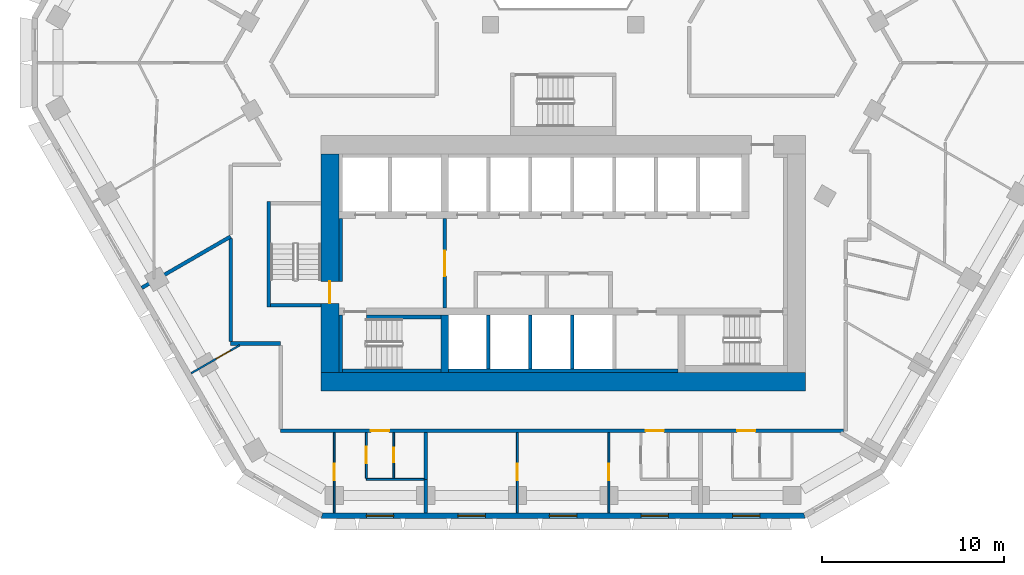
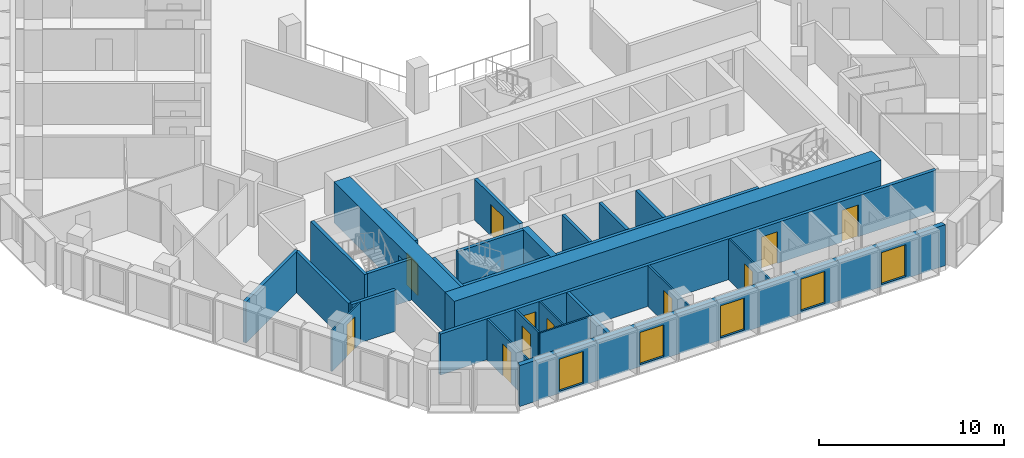
# One storey, part 3 of 15: 28 walls, 11 doors, 5 windows, 16 openings.
"""IFC4 building model written with IfcOpenShell, lengths in metres."""

from ifc_helpers import new_model, si_unit, direction, frame, frame_2d, origin, place, context, subcontext, project, spatial, polyline, rectangle, outline, extrude, material, layer, layer_set, type_object, element, fill, save


model = new_model("IFC4")

# Units and contexts
model_context = context("Model", 3, precision=1e-05, world=origin(), true_north=direction((0.0, 1.0)))
body_context = subcontext(model_context, "Body", "Model", "MODEL_VIEW")
ifc_project = project(units=[si_unit("LENGTHUNIT", "METRE"), si_unit("AREAUNIT", "SQUARE_METRE"), si_unit("VOLUMEUNIT", "CUBIC_METRE"), si_unit("PLANEANGLEUNIT", "RADIAN"), si_unit("MASSUNIT", "GRAM", prefix="KILO")], contexts=[model_context])

# Site, building, storey
site_placement = place(None, origin())
site = spatial("IfcSite", under=ifc_project, at=site_placement, CompositionType="ELEMENT")
building_placement = place(site_placement, origin())
building = spatial("IfcBuilding", under=site, at=building_placement, Name="Beryl Residences", CompositionType="ELEMENT")
storey_placement = place(building_placement, frame((0.0, 0.0, 78.0)))
storey = spatial("IfcBuildingStorey", under=building, at=storey_placement, Name="L23", CompositionType="ELEMENT", Elevation=78.0)

# Wall, openings, windows
ifc_material_1 = material(Name="Composite metal panel with mineral wool insulation")
ifc_layer_1 = layer(ifc_material_1, 0.300048828125)
ifc_layer_set_1 = layer_set([ifc_layer_1], Name="ES1 pale metal composite panel wall 300 mm")
wall_type_1 = type_object("IfcWallType", Name="ES1 pale metal composite panel wall 300 mm", PredefinedType="SOLIDWALL", material=ifc_layer_set_1)
wall_1_placement = place(storey_placement, frame((-13.279052734375, -25.85009765625, 0.0), z_axis=(0.0, 0.0, 1.0), x_axis=(1.0, 0.0, 0.0)))
wall_1 = element("IfcWall", 1, at=wall_1_placement, inside=storey, type_object=wall_type_1, Name="ES1 external wall L23 S", PredefinedType="SOLIDWALL", context=body_context, shape_type="SweptSolid", body=[
    extrude(outline(polyline([(0.0, -0.14990234375), (26.55810546875, -0.14990234375), (26.477783203125, 0.14990234375), (0.080322265625, 0.14990234375), (0.0, -0.14990234375)])), origin(), (0.0, 0.0, 1.0), 2.699951171875),
])
opening_1_placement = place(wall_1_placement, frame((2.48291015625, 0.0, 0.14990234375)))
opening_1 = element("IfcOpeningElement", 2, at=opening_1_placement, cuts=wall_1, Name="Opening W1", PredefinedType="OPENING", context=body_context, shape_type="SweptSolid", body=[
    extrude(rectangle(XDim=1.5, YDim=2.10009765625, at=frame_2d((0.75, 1.050048828125))), frame((0.0, 0.159912109375, 0.0), z_axis=(0.0, -1.0, 0.0), x_axis=(1.0, 0.0, 0.0)), (0.0, 0.0, 1.0), 0.320068359375),
])
opening_2_placement = place(wall_1_placement, frame((7.507080078125, 0.0, 0.14990234375)))
opening_2 = element("IfcOpeningElement", 3, at=opening_2_placement, cuts=wall_1, Name="Opening W1", PredefinedType="OPENING", context=body_context, shape_type="SweptSolid", body=[
    extrude(rectangle(XDim=1.5, YDim=2.10009765625, at=frame_2d((0.75, 1.050048828125))), frame((0.0, 0.159912109375, 0.0), z_axis=(0.0, -1.0, 0.0), x_axis=(1.0, 0.0, 0.0)), (0.0, 0.0, 1.0), 0.320068359375),
])
opening_3_placement = place(wall_1_placement, frame((12.529052734375, 0.0, 0.14990234375)))
opening_3 = element("IfcOpeningElement", 4, at=opening_3_placement, cuts=wall_1, Name="Opening W1", PredefinedType="OPENING", context=body_context, shape_type="SweptSolid", body=[
    extrude(rectangle(XDim=1.5, YDim=2.10009765625, at=frame_2d((0.75, 1.050048828125))), frame((0.0, 0.159912109375, 0.0), z_axis=(0.0, -1.0, 0.0), x_axis=(1.0, 0.0, 0.0)), (0.0, 0.0, 1.0), 0.320068359375),
])
opening_4_placement = place(wall_1_placement, frame((17.552978515625, 0.0, 0.14990234375)))
opening_4 = element("IfcOpeningElement", 5, at=opening_4_placement, cuts=wall_1, Name="Opening W1", PredefinedType="OPENING", context=body_context, shape_type="SweptSolid", body=[
    extrude(rectangle(XDim=1.5, YDim=2.10009765625, at=frame_2d((0.75, 1.050048828125))), frame((0.0, 0.159912109375, 0.0), z_axis=(0.0, -1.0, 0.0), x_axis=(1.0, 0.0, 0.0)), (0.0, 0.0, 1.0), 0.320068359375),
])
opening_5_placement = place(wall_1_placement, frame((22.574951171875, 0.0, 0.14990234375)))
opening_5 = element("IfcOpeningElement", 6, at=opening_5_placement, cuts=wall_1, Name="Opening W1", PredefinedType="OPENING", context=body_context, shape_type="SweptSolid", body=[
    extrude(rectangle(XDim=1.5, YDim=2.10009765625, at=frame_2d((0.75, 1.050048828125))), frame((0.0, 0.159912109375, 0.0), z_axis=(0.0, -1.0, 0.0), x_axis=(1.0, 0.0, 0.0)), (0.0, 0.0, 1.0), 0.320068359375),
])
ifc_material_2 = material(Name="Aluminium and clear glass", Category="aluminium")
window_type = type_object("IfcWindowType", Name="W1 cell window 1500 x 2100 mm", PartitioningType="SINGLE_PANEL", PredefinedType="WINDOW", material=ifc_material_2)
window_1_placement = place(opening_1_placement, origin())
window_1 = element("IfcWindow", 7, at=window_1_placement, inside=storey, type_object=window_type, Name="W1 window L23 S 2", OverallHeight=2.10009765625, OverallWidth=1.5, PartitioningType="SINGLE_PANEL", PredefinedType="WINDOW", context=body_context, shape_type="SweptSolid", body=[
    extrude(rectangle(XDim=1.5, YDim=2.10009765625, at=frame_2d((0.75, 1.050048828125))), frame((0.0, 0.030029296875, 0.0), z_axis=(0.0, -1.0, 0.0), x_axis=(1.0, 0.0, 0.0)), (0.0, 0.0, 1.0), 0.06005859375),
])
fill(opening_1, window_1)
window_2_placement = place(opening_2_placement, origin())
window_2 = element("IfcWindow", 8, at=window_2_placement, inside=storey, type_object=window_type, Name="W1 window L23 S 4", OverallHeight=2.10009765625, OverallWidth=1.5, PartitioningType="SINGLE_PANEL", PredefinedType="WINDOW", context=body_context, shape_type="SweptSolid", body=[
    extrude(rectangle(XDim=1.5, YDim=2.10009765625, at=frame_2d((0.75, 1.050048828125))), frame((0.0, 0.030029296875, 0.0), z_axis=(0.0, -1.0, 0.0), x_axis=(1.0, 0.0, 0.0)), (0.0, 0.0, 1.0), 0.06005859375),
])
fill(opening_2, window_2)
window_3_placement = place(opening_3_placement, origin())
window_3 = element("IfcWindow", 9, at=window_3_placement, inside=storey, type_object=window_type, Name="W1 window L23 S 6", OverallHeight=2.10009765625, OverallWidth=1.5, PartitioningType="SINGLE_PANEL", PredefinedType="WINDOW", context=body_context, shape_type="SweptSolid", body=[
    extrude(rectangle(XDim=1.5, YDim=2.10009765625, at=frame_2d((0.75, 1.050048828125))), frame((0.0, 0.030029296875, 0.0), z_axis=(0.0, -1.0, 0.0), x_axis=(1.0, 0.0, 0.0)), (0.0, 0.0, 1.0), 0.06005859375),
])
fill(opening_3, window_3)
window_4_placement = place(opening_4_placement, origin())
window_4 = element("IfcWindow", 10, at=window_4_placement, inside=storey, type_object=window_type, Name="W1 window L23 S 8", OverallHeight=2.10009765625, OverallWidth=1.5, PartitioningType="SINGLE_PANEL", PredefinedType="WINDOW", context=body_context, shape_type="SweptSolid", body=[
    extrude(rectangle(XDim=1.5, YDim=2.10009765625, at=frame_2d((0.75, 1.050048828125))), frame((0.0, 0.030029296875, 0.0), z_axis=(0.0, -1.0, 0.0), x_axis=(1.0, 0.0, 0.0)), (0.0, 0.0, 1.0), 0.06005859375),
])
fill(opening_4, window_4)
window_5_placement = place(opening_5_placement, origin())
window_5 = element("IfcWindow", 11, at=window_5_placement, inside=storey, type_object=window_type, Name="W1 window L23 S 10", OverallHeight=2.10009765625, OverallWidth=1.5, PartitioningType="SINGLE_PANEL", PredefinedType="WINDOW", context=body_context, shape_type="SweptSolid", body=[
    extrude(rectangle(XDim=1.5, YDim=2.10009765625, at=frame_2d((0.75, 1.050048828125))), frame((0.0, 0.030029296875, 0.0), z_axis=(0.0, -1.0, 0.0), x_axis=(1.0, 0.0, 0.0)), (0.0, 0.0, 1.0), 0.06005859375),
])
fill(opening_5, window_5)

# Wall, opening, door
ifc_material_3 = material(Name="Gypsum board partition on steel studs", Category="steel")
ifc_layer_2 = layer(ifc_material_3, 0.10009765625)
ifc_layer_set_2 = layer_set([ifc_layer_2], Name="PT1 partition 100 mm gypsum board on steel studs")
wall_type_2 = type_object("IfcWallType", Name="PT1 partition 100 mm gypsum board on steel studs", PredefinedType="PARTITIONING", material=ifc_layer_set_2)
wall_2_placement = place(storey_placement, frame((-10.799072265625, -21.300048828125, 0.0), z_axis=(0.0, 0.0, 1.0), x_axis=(0.0, -1.0, 0.0)))
wall_2 = element("IfcWall", 12, at=wall_2_placement, inside=storey, type_object=wall_type_2, Name="Wall PT1 L23 011", PredefinedType="PARTITIONING", context=body_context, shape_type="SweptSolid", body=[
    extrude(rectangle(XDim=2.509033203125, YDim=0.10009765625, at=frame_2d((1.25439453125, 0.0))), origin(), (0.0, 0.0, 1.0), 2.699951171875),
])
opening_6_placement = place(wall_2_placement, frame((0.780029296875, 0.0, 0.0)))
opening_6 = element("IfcOpeningElement", 13, at=opening_6_placement, cuts=wall_2, Name="Opening D0847", PredefinedType="OPENING", context=body_context, shape_type="SweptSolid", body=[
    extrude(rectangle(XDim=0.89990234375, YDim=2.10009765625, at=frame_2d((0.449951171875, 1.050048828125))), frame((0.0, 0.06005859375, 0.0), z_axis=(0.0, -1.0, 0.0), x_axis=(1.0, 0.0, 0.0)), (0.0, 0.0, 1.0), 0.1201171875),
])
ifc_material_4 = material(Name="Timber door leaf", Category="wood")
door_type_1 = type_object("IfcDoorType", Name="D2 room door 900 x 2100 mm", OperationType="SINGLE_SWING_LEFT", PredefinedType="DOOR", material=ifc_material_4)
door_1_placement = place(opening_6_placement, origin())
door_1 = element("IfcDoor", 14, at=door_1_placement, inside=storey, type_object=door_type_1, Name="Door D0847 L23 001", OperationType="SINGLE_SWING_LEFT", OverallHeight=2.10009765625, OverallWidth=0.89990234375, PredefinedType="DOOR", context=body_context, shape_type="SweptSolid", body=[
    extrude(rectangle(XDim=0.89990234375, YDim=2.10009765625, at=frame_2d((0.449951171875, 1.050048828125))), frame((0.0, 0.02490234375, 0.0), z_axis=(0.0, -1.0, 0.0), x_axis=(1.0, 0.0, 0.0)), (0.0, 0.0, 1.0), 0.050048828125),
])
fill(opening_6, door_1)

# Wall
wall_3_placement = place(storey_placement, frame((-10.798095703125, -23.860107421875, 0.0), z_axis=(0.0, 0.0, 1.0), x_axis=(1.0, 0.0, 0.0)))
element("IfcWall", 15, at=wall_3_placement, inside=storey, type_object=wall_type_2, Name="Wall PT1 L23 029", PredefinedType="PARTITIONING", context=body_context, shape_type="SweptSolid", body=[
    extrude(rectangle(XDim=3.1640625, YDim=0.10009765625, at=frame_2d((1.58203125, 0.0))), origin(), (0.0, 0.0, 1.0), 2.699951171875),
])

# Wall, opening, door
wall_4_placement = place(storey_placement, frame((2.511962890625, -25.699951171875, 0.0), z_axis=(0.0, 0.0, 1.0), x_axis=(0.0, 1.0, 0.0)))
wall_4 = element("IfcWall", 16, at=wall_4_placement, inside=storey, type_object=wall_type_2, Name="Wall PT1 L23 052", PredefinedType="PARTITIONING", context=body_context, shape_type="SweptSolid", body=[
    extrude(rectangle(XDim=4.39990234375, YDim=0.10009765625, at=frame_2d((2.199951171875, 0.0))), origin(), (0.0, 0.0, 1.0), 2.699951171875),
])
opening_7_placement = place(wall_4_placement, frame((1.800048828125, 0.0, 0.0)))
opening_7 = element("IfcOpeningElement", 17, at=opening_7_placement, cuts=wall_4, Name="Opening D0854", PredefinedType="OPENING", context=body_context, shape_type="SweptSolid", body=[
    extrude(rectangle(XDim=0.89990234375, YDim=2.10009765625, at=frame_2d((0.449951171875, 1.050048828125))), frame((0.0, 0.06005859375, 0.0), z_axis=(0.0, -1.0, 0.0), x_axis=(1.0, 0.0, 0.0)), (0.0, 0.0, 1.0), 0.1201171875),
])
door_2_placement = place(opening_7_placement, origin())
door_2 = element("IfcDoor", 18, at=door_2_placement, inside=storey, type_object=door_type_1, Name="Door D0854 L23 001", OperationType="SINGLE_SWING_RIGHT", OverallHeight=2.10009765625, OverallWidth=0.89990234375, PredefinedType="DOOR", context=body_context, shape_type="SweptSolid", body=[
    extrude(rectangle(XDim=0.89990234375, YDim=2.10009765625, at=frame_2d((0.449951171875, 1.050048828125))), frame((0.0, 0.02490234375, 0.0), z_axis=(0.0, -1.0, 0.0), x_axis=(1.0, 0.0, 0.0)), (0.0, 0.0, 1.0), 0.050048828125),
])
fill(opening_7, door_2)

wall_5_placement = place(storey_placement, frame((-9.2919921875, -23.81005859375, 0.0), z_axis=(0.0, 0.0, 1.0), x_axis=(0.0, 1.0, 0.0)))
wall_5 = element("IfcWall", 19, at=wall_5_placement, inside=storey, type_object=wall_type_2, Name="Wall PT1 L23 055", PredefinedType="PARTITIONING", context=body_context, shape_type="SweptSolid", body=[
    extrude(rectangle(XDim=2.510009765625, YDim=0.10009765625, at=frame_2d((1.2548828125, 0.0))), origin(), (0.0, 0.0, 1.0), 2.699951171875),
])
opening_8_placement = place(wall_5_placement, frame((0.8798828125, 0.0, 0.0)))
opening_8 = element("IfcOpeningElement", 20, at=opening_8_placement, cuts=wall_5, Name="Opening D0848", PredefinedType="OPENING", context=body_context, shape_type="SweptSolid", body=[
    extrude(rectangle(XDim=0.800048828125, YDim=2.10009765625, at=frame_2d((0.39990234375, 1.050048828125))), frame((0.0, 0.06005859375, 0.0), z_axis=(0.0, -1.0, 0.0), x_axis=(1.0, 0.0, 0.0)), (0.0, 0.0, 1.0), 0.1201171875),
])
ifc_material_5 = material(Name="Timber door leaf", Category="wood")
door_type_2 = type_object("IfcDoorType", Name="D3 bathroom door 800 x 2100 mm", OperationType="SINGLE_SWING_LEFT", PredefinedType="DOOR", material=ifc_material_5)
door_3_placement = place(opening_8_placement, origin())
door_3 = element("IfcDoor", 21, at=door_3_placement, inside=storey, type_object=door_type_2, Name="Door D0848 L23 001", OperationType="SINGLE_SWING_RIGHT", OverallHeight=2.10009765625, OverallWidth=0.800048828125, PredefinedType="DOOR", context=body_context, shape_type="SweptSolid", body=[
    extrude(rectangle(XDim=0.800048828125, YDim=2.10009765625, at=frame_2d((0.39990234375, 1.050048828125))), frame((0.0, 0.02490234375, 0.0), z_axis=(0.0, -1.0, 0.0), x_axis=(1.0, 0.0, 0.0)), (0.0, 0.0, 1.0), 0.050048828125),
])
fill(opening_8, door_3)

wall_6_placement = place(storey_placement, frame((-12.556884765625, -25.699951171875, 0.0), z_axis=(0.0, 0.0, 1.0), x_axis=(0.0, 1.0, 0.0)))
wall_6 = element("IfcWall", 22, at=wall_6_placement, inside=storey, type_object=wall_type_2, Name="Wall PT1 L23 057", PredefinedType="PARTITIONING", context=body_context, shape_type="SweptSolid", body=[
    extrude(rectangle(XDim=4.39990234375, YDim=0.10009765625, at=frame_2d((2.199951171875, 0.0))), origin(), (0.0, 0.0, 1.0), 2.699951171875),
])
opening_9_placement = place(wall_6_placement, frame((1.800048828125, 0.0, 0.0)))
opening_9 = element("IfcOpeningElement", 23, at=opening_9_placement, cuts=wall_6, Name="Opening D0849", PredefinedType="OPENING", context=body_context, shape_type="SweptSolid", body=[
    extrude(rectangle(XDim=0.89990234375, YDim=2.10009765625, at=frame_2d((0.449951171875, 1.050048828125))), frame((0.0, 0.06005859375, 0.0), z_axis=(0.0, -1.0, 0.0), x_axis=(1.0, 0.0, 0.0)), (0.0, 0.0, 1.0), 0.1201171875),
])
door_4_placement = place(opening_9_placement, origin())
door_4 = element("IfcDoor", 24, at=door_4_placement, inside=storey, type_object=door_type_1, Name="Door D0849 L23 001", OperationType="SINGLE_SWING_LEFT", OverallHeight=2.10009765625, OverallWidth=0.89990234375, PredefinedType="DOOR", context=body_context, shape_type="SweptSolid", body=[
    extrude(rectangle(XDim=0.89990234375, YDim=2.10009765625, at=frame_2d((0.449951171875, 1.050048828125))), frame((0.0, 0.02490234375, 0.0), z_axis=(0.0, -1.0, 0.0), x_axis=(1.0, 0.0, 0.0)), (0.0, 0.0, 1.0), 0.050048828125),
])
fill(opening_9, door_4)

wall_7_placement = place(storey_placement, frame((-2.510986328125, -25.699951171875, 0.0), z_axis=(0.0, 0.0, 1.0), x_axis=(0.0, 1.0, 0.0)))
wall_7 = element("IfcWall", 25, at=wall_7_placement, inside=storey, type_object=wall_type_2, Name="Wall PT1 L23 060", PredefinedType="PARTITIONING", context=body_context, shape_type="SweptSolid", body=[
    extrude(rectangle(XDim=4.39990234375, YDim=0.10009765625, at=frame_2d((2.199951171875, 0.0))), origin(), (0.0, 0.0, 1.0), 2.699951171875),
])
opening_10_placement = place(wall_7_placement, frame((1.800048828125, 0.0, 0.0)))
opening_10 = element("IfcOpeningElement", 26, at=opening_10_placement, cuts=wall_7, Name="Opening D0855", PredefinedType="OPENING", context=body_context, shape_type="SweptSolid", body=[
    extrude(rectangle(XDim=0.89990234375, YDim=2.10009765625, at=frame_2d((0.449951171875, 1.050048828125))), frame((0.0, 0.06005859375, 0.0), z_axis=(0.0, -1.0, 0.0), x_axis=(1.0, 0.0, 0.0)), (0.0, 0.0, 1.0), 0.1201171875),
])
door_5_placement = place(opening_10_placement, origin())
door_5 = element("IfcDoor", 27, at=door_5_placement, inside=storey, type_object=door_type_1, Name="Door D0855 L23 001", OperationType="SINGLE_SWING_LEFT", OverallHeight=2.10009765625, OverallWidth=0.89990234375, PredefinedType="DOOR", context=body_context, shape_type="SweptSolid", body=[
    extrude(rectangle(XDim=0.89990234375, YDim=2.10009765625, at=frame_2d((0.449951171875, 1.050048828125))), frame((0.0, 0.02490234375, 0.0), z_axis=(0.0, -1.0, 0.0), x_axis=(1.0, 0.0, 0.0)), (0.0, 0.0, 1.0), 0.050048828125),
])
fill(opening_10, door_5)

wall_8_placement = place(storey_placement, frame((-20.416015625, -18.0380859375, 0.0), z_axis=(0.0, 0.0, 1.0), x_axis=(0.866026989333, 0.499997253739, 0.0)))
wall_8 = element("IfcWall", 28, at=wall_8_placement, inside=storey, type_object=wall_type_2, Name="Wall PT1 L23 063", PredefinedType="PARTITIONING", context=body_context, shape_type="SweptSolid", body=[
    extrude(rectangle(XDim=3.076171875, YDim=0.10009765625, at=frame_2d((1.5380859375, 0.0))), origin(), (0.0, 0.0, 1.0), 2.699951171875),
])
opening_11_placement = place(wall_8_placement, frame((1.587890625, 0.0, 0.0)))
opening_11 = element("IfcOpeningElement", 29, at=opening_11_placement, cuts=wall_8, Name="Opening D0850", PredefinedType="OPENING", context=body_context, shape_type="SweptSolid", body=[
    extrude(rectangle(XDim=0.89990234375, YDim=2.10009765625, at=frame_2d((0.449951171875, 1.050048828125))), frame((0.0, 0.06005859375, 0.0), z_axis=(0.0, -1.0, 0.0), x_axis=(1.0, 0.0, 0.0)), (0.0, 0.0, 1.0), 0.1201171875),
])
door_6_placement = place(opening_11_placement, origin())
door_6 = element("IfcDoor", 30, at=door_6_placement, inside=storey, type_object=door_type_1, Name="Door D0850 L23 001", OperationType="SINGLE_SWING_RIGHT", OverallHeight=2.10009765625, OverallWidth=0.89990234375, PredefinedType="DOOR", context=body_context, shape_type="SweptSolid", body=[
    extrude(rectangle(XDim=0.89990234375, YDim=2.10009765625, at=frame_2d((0.449951171875, 1.050048828125))), frame((0.0, 0.02490234375, 0.0), z_axis=(0.0, -1.0, 0.0), x_axis=(1.0, 0.0, 0.0)), (0.0, 0.0, 1.0), 0.050048828125),
])
fill(opening_11, door_6)

# Wall
ifc_material_6 = material(Name="Concrete masonry", Category="masonry")
ifc_layer_3 = layer(ifc_material_6, 0.199951171875)
ifc_layer_set_3 = layer_set([ifc_layer_3], Name="PT13 lobby wall 200 mm")
wall_type_3 = type_object("IfcWallType", Name="PT13 lobby wall 200 mm", PredefinedType="PARTITIONING", material=ifc_layer_set_3)
wall_9_placement = place(storey_placement, frame((-12.199951171875, -13.0, 0.0), z_axis=(0.0, 0.0, 1.0), x_axis=(0.0, 1.0, 0.0)))
element("IfcWall", 31, at=wall_9_placement, inside=storey, type_object=wall_type_3, Name="Lobby wall 05", PredefinedType="PARTITIONING", context=body_context, shape_type="SweptSolid", body=[
    extrude(rectangle(XDim=3.449951171875, YDim=0.199951171875, at=frame_2d((1.72509765625, 0.0))), origin(), (0.0, 0.0, 1.0), 2.699951171875),
])

# Wall, opening, door
wall_10_placement = place(storey_placement, frame((-6.5, -14.449951171875, 0.0), z_axis=(0.0, 0.0, 1.0), x_axis=(0.0, 1.0, 0.0)))
wall_10 = element("IfcWall", 32, at=wall_10_placement, inside=storey, type_object=wall_type_3, Name="Lobby wall 11", PredefinedType="PARTITIONING", context=body_context, shape_type="SweptSolid", body=[
    extrude(rectangle(XDim=4.89990234375, YDim=0.199951171875, at=frame_2d((2.449951171875, 0.0))), origin(), (0.0, 0.0, 1.0), 2.699951171875),
])
opening_12_placement = place(wall_10_placement, frame((3.14990234375, 0.0, 0.0), z_axis=(0.0, 0.0, 1.0), x_axis=(-1.0, 0.0, 0.0)))
opening_12 = element("IfcOpeningElement", 33, at=opening_12_placement, cuts=wall_10, Name="Opening FD-FFL", PredefinedType="OPENING", context=body_context, shape_type="SweptSolid", body=[
    extrude(rectangle(XDim=1.39990234375, YDim=2.10009765625, at=frame_2d((0.699951171875, 1.050048828125))), frame((0.0, 0.10986328125, 0.0), z_axis=(0.0, -1.0, 0.0), x_axis=(1.0, 0.0, 0.0)), (0.0, 0.0, 1.0), 0.219970703125),
])
ifc_material_7 = material(Name="Steel door leaf in steel frame", Category="steel")
door_type_3 = type_object("IfcDoorType", Name="D5 lobby door 1400 x 2100 mm", OperationType="DOUBLE_DOOR_SINGLE_SWING", PredefinedType="DOOR", material=ifc_material_7)
door_7_placement = place(opening_12_placement, origin())
door_7 = element("IfcDoor", 34, at=door_7_placement, inside=storey, type_object=door_type_3, Name="Door FD-FFL L23 001", OperationType="DOUBLE_DOOR_SINGLE_SWING", OverallHeight=2.10009765625, OverallWidth=1.39990234375, PredefinedType="DOOR", context=body_context, shape_type="SweptSolid", body=[
    extrude(rectangle(XDim=1.39990234375, YDim=2.10009765625, at=frame_2d((0.699951171875, 1.050048828125))), frame((0.0, 0.02490234375, 0.0), z_axis=(0.0, -1.0, 0.0), x_axis=(1.0, 0.0, 0.0)), (0.0, 0.0, 1.0), 0.050048828125),
])
fill(opening_12, door_7)

# Walls
ifc_material_8 = material(Name="Acoustic double stud gypsum board wall")
ifc_layer_4 = layer(ifc_material_8, 0.199951171875)
ifc_layer_set_4 = layer_set([ifc_layer_4], Name="PT3 party wall 200 mm acoustic double stud")
wall_type_4 = type_object("IfcWallType", Name="PT3 party wall 200 mm acoustic double stud", PredefinedType="PARTITIONING", material=ifc_layer_set_4)
wall_11_placement = place(storey_placement, frame((-7.533935546875, -23.860107421875, 0.0), z_axis=(0.0, 0.0, 1.0), x_axis=(0.0, -1.0, 0.0)))
element("IfcWall", 35, at=wall_11_placement, inside=storey, type_object=wall_type_4, Name="Wall PT3 L23 001", PredefinedType="PARTITIONING", context=body_context, shape_type="SweptSolid", body=[
    extrude(rectangle(XDim=1.83984375, YDim=0.199951171875, at=frame_2d((0.919921875, 0.0))), origin(), (0.0, 0.0, 1.0), 2.699951171875),
])
wall_12_placement = place(storey_placement, frame((-7.533935546875, -23.860107421875, 0.0), z_axis=(0.0, 0.0, 1.0), x_axis=(0.0, 1.0, 0.0)))
element("IfcWall", 36, at=wall_12_placement, inside=storey, type_object=wall_type_4, Name="Wall PT3 L23 010", PredefinedType="PARTITIONING", context=body_context, shape_type="SweptSolid", body=[
    extrude(rectangle(XDim=2.56005859375, YDim=0.199951171875, at=frame_2d((1.280029296875, 0.0))), origin(), (0.0, 0.0, 1.0), 2.699951171875),
])
wall_13_placement = place(storey_placement, frame((-23.123046875, -13.35009765625, 0.0), z_axis=(0.0, 0.0, 1.0), x_axis=(0.86596737403, 0.500100497016, 0.0)))
element("IfcWall", 37, at=wall_13_placement, inside=storey, type_object=wall_type_4, Name="Wall PT3 L23 012", PredefinedType="PARTITIONING", context=body_context, shape_type="SweptSolid", body=[
    extrude(rectangle(XDim=5.627197265625, YDim=0.199951171875, at=frame_2d((2.8134765625, 0.0))), origin(), (0.0, 0.0, 1.0), 2.699951171875),
])
ifc_material_9 = material(Name="Double stud gypsum board wall")
ifc_layer_5 = layer(ifc_material_9, 0.199951171875)
ifc_layer_set_5 = layer_set([ifc_layer_5], Name="PT4 corridor wall 200 mm double stud")
wall_type_5 = type_object("IfcWallType", Name="PT4 corridor wall 200 mm double stud", PredefinedType="PARTITIONING", material=ifc_layer_set_5)
wall_14_placement = place(storey_placement, frame((-18.25, -10.652099609375, 0.0), z_axis=(0.0, 0.0, 1.0), x_axis=(0.0, -1.0, 0.0)))
element("IfcWall", 38, at=wall_14_placement, inside=storey, type_object=wall_type_5, Name="Wall PT4 L23 008", PredefinedType="PARTITIONING", context=body_context, shape_type="SweptSolid", body=[
    extrude(rectangle(XDim=5.64697265625, YDim=0.199951171875, at=frame_2d((2.823486328125, 0.0))), origin(), (0.0, 0.0, 1.0), 2.699951171875),
])
wall_15_placement = place(storey_placement, frame((-18.2490234375, -16.39990234375, 0.0), z_axis=(0.0, 0.0, 1.0), x_axis=(1.0, 0.0, 0.0)))
element("IfcWall", 39, at=wall_15_placement, inside=storey, type_object=wall_type_5, Name="Wall PT4 L23 016", PredefinedType="PARTITIONING", context=body_context, shape_type="SweptSolid", body=[
    extrude(rectangle(XDim=2.748046875, YDim=0.199951171875, at=frame_2d((1.3740234375, 0.0))), origin(), (0.0, 0.0, 1.0), 2.699951171875),
])

# Wall, openings, doors
wall_16_placement = place(storey_placement, frame((-15.4990234375, -21.199951171875, 0.0), z_axis=(0.0, 0.0, 1.0), x_axis=(1.0, 0.0, 0.0)))
wall_16 = element("IfcWall", 40, at=wall_16_placement, inside=storey, type_object=wall_type_5, Name="Wall PT4 L23 017", PredefinedType="PARTITIONING", context=body_context, shape_type="SweptSolid", body=[
    extrude(rectangle(XDim=30.89794921875, YDim=0.199951171875, at=frame_2d((15.448974609375, 0.0))), origin(), (0.0, 0.0, 1.0), 2.699951171875),
])
opening_13_placement = place(wall_16_placement, frame((4.9541015625, 0.0, 0.0)))
opening_13 = element("IfcOpeningElement", 41, at=opening_13_placement, cuts=wall_16, Name="Opening D0846", PredefinedType="OPENING", context=body_context, shape_type="SweptSolid", body=[
    extrude(rectangle(XDim=1.0, YDim=2.10009765625, at=frame_2d((0.5, 1.050048828125))), frame((0.0, 0.10986328125, 0.0), z_axis=(0.0, -1.0, 0.0), x_axis=(1.0, 0.0, 0.0)), (0.0, 0.0, 1.0), 0.219970703125),
])
opening_14_placement = place(wall_16_placement, frame((20.02294921875, 0.0, 0.0)))
opening_14 = element("IfcOpeningElement", 42, at=opening_14_placement, cuts=wall_16, Name="Opening D0851", PredefinedType="OPENING", context=body_context, shape_type="SweptSolid", body=[
    extrude(rectangle(XDim=1.0, YDim=2.10009765625, at=frame_2d((0.5, 1.050048828125))), frame((0.0, 0.10986328125, 0.0), z_axis=(0.0, -1.0, 0.0), x_axis=(1.0, 0.0, 0.0)), (0.0, 0.0, 1.0), 0.219970703125),
])
opening_15_placement = place(wall_16_placement, frame((25.0458984375, 0.0, 0.0)))
opening_15 = element("IfcOpeningElement", 43, at=opening_15_placement, cuts=wall_16, Name="Opening D0856", PredefinedType="OPENING", context=body_context, shape_type="SweptSolid", body=[
    extrude(rectangle(XDim=1.0, YDim=2.10009765625, at=frame_2d((0.5, 1.050048828125))), frame((0.0, 0.10986328125, 0.0), z_axis=(0.0, -1.0, 0.0), x_axis=(1.0, 0.0, 0.0)), (0.0, 0.0, 1.0), 0.219970703125),
])
ifc_material_10 = material(Name="Timber door leaf", Category="wood")
door_type_4 = type_object("IfcDoorType", Name="D1 flat entrance door 1000 x 2100 mm", OperationType="SINGLE_SWING_LEFT", PredefinedType="DOOR", material=ifc_material_10)
door_8_placement = place(opening_13_placement, origin())
door_8 = element("IfcDoor", 44, at=door_8_placement, inside=storey, type_object=door_type_4, Name="Door D0846 L23 001", OperationType="SINGLE_SWING_RIGHT", OverallHeight=2.10009765625, OverallWidth=1.0, PredefinedType="DOOR", context=body_context, shape_type="SweptSolid", body=[
    extrude(rectangle(XDim=1.0, YDim=2.10009765625, at=frame_2d((0.5, 1.050048828125))), frame((0.0, 0.02490234375, 0.0), z_axis=(0.0, -1.0, 0.0), x_axis=(1.0, 0.0, 0.0)), (0.0, 0.0, 1.0), 0.050048828125),
])
fill(opening_13, door_8)
door_9_placement = place(opening_14_placement, origin())
door_9 = element("IfcDoor", 45, at=door_9_placement, inside=storey, type_object=door_type_4, Name="Door D0851 L23 001", OperationType="SINGLE_SWING_LEFT", OverallHeight=2.10009765625, OverallWidth=1.0, PredefinedType="DOOR", context=body_context, shape_type="SweptSolid", body=[
    extrude(rectangle(XDim=1.0, YDim=2.10009765625, at=frame_2d((0.5, 1.050048828125))), frame((0.0, 0.02490234375, 0.0), z_axis=(0.0, -1.0, 0.0), x_axis=(1.0, 0.0, 0.0)), (0.0, 0.0, 1.0), 0.050048828125),
])
fill(opening_14, door_9)
door_10_placement = place(opening_15_placement, origin())
door_10 = element("IfcDoor", 46, at=door_10_placement, inside=storey, type_object=door_type_4, Name="Door D0856 L23 001", OperationType="SINGLE_SWING_RIGHT", OverallHeight=2.10009765625, OverallWidth=1.0, PredefinedType="DOOR", context=body_context, shape_type="SweptSolid", body=[
    extrude(rectangle(XDim=1.0, YDim=2.10009765625, at=frame_2d((0.5, 1.050048828125))), frame((0.0, 0.02490234375, 0.0), z_axis=(0.0, -1.0, 0.0), x_axis=(1.0, 0.0, 0.0)), (0.0, 0.0, 1.0), 0.050048828125),
])
fill(opening_15, door_10)

# Walls
ifc_material_11 = material(Name="Concrete C40/50", Category="concrete")
ifc_layer_6 = layer(ifc_material_11, 0.199951171875)
ifc_layer_set_6 = layer_set([ifc_layer_6], Name="PT5 stair enclosure wall 200 mm reinforced concrete C40/50")
wall_type_6 = type_object("IfcWallType", Name="PT5 stair enclosure wall 200 mm reinforced concrete C40/50", PredefinedType="SOLIDWALL", material=ifc_layer_set_6)
wall_17_placement = place(storey_placement, frame((-16.14990234375, -14.39990234375, 0.0), z_axis=(0.0, 0.0, 1.0), x_axis=(0.0, 1.0, 0.0)))
element("IfcWall", 47, at=wall_17_placement, inside=storey, type_object=wall_type_6, Name="Stair wall 01", PredefinedType="SOLIDWALL", context=body_context, shape_type="SweptSolid", body=[
    extrude(rectangle(XDim=5.7998046875, YDim=0.199951171875, at=frame_2d((2.89990234375, 0.0))), origin(), (0.0, 0.0, 1.0), 2.699951171875),
])
wall_18_placement = place(storey_placement, frame((-16.050048828125, -14.300048828125, 0.0), z_axis=(0.0, 0.0, 1.0), x_axis=(1.0, 0.0, 0.0)))
element("IfcWall", 48, at=wall_18_placement, inside=storey, type_object=wall_type_6, Name="Stair wall 02", PredefinedType="SOLIDWALL", context=body_context, shape_type="SweptSolid", body=[
    extrude(rectangle(XDim=2.75, YDim=0.199951171875, at=frame_2d((1.375, 0.0))), origin(), (0.0, 0.0, 1.0), 2.699951171875),
])
wall_19_placement = place(storey_placement, frame((-12.199951171875, -18.0, 0.0), z_axis=(0.0, 0.0, 1.0), x_axis=(0.0, 1.0, 0.0)))
element("IfcWall", 49, at=wall_19_placement, inside=storey, type_object=wall_type_6, Name="Stair wall 04", PredefinedType="SOLIDWALL", context=body_context, shape_type="SweptSolid", body=[
    extrude(rectangle(XDim=3.14990234375, YDim=0.199951171875, at=frame_2d((1.574951171875, 0.0))), origin(), (0.0, 0.0, 1.0), 2.699951171875),
])
wall_20_placement = place(storey_placement, frame((-12.10009765625, -17.89990234375, 0.0), z_axis=(0.0, 0.0, 1.0), x_axis=(1.0, 0.0, 0.0)))
element("IfcWall", 50, at=wall_20_placement, inside=storey, type_object=wall_type_6, Name="Stair wall 07", PredefinedType="SOLIDWALL", context=body_context, shape_type="SweptSolid", body=[
    extrude(rectangle(XDim=5.400146484375, YDim=0.199951171875, at=frame_2d((2.7001953125, 0.0))), origin(), (0.0, 0.0, 1.0), 2.699951171875),
])
wall_21_placement = place(storey_placement, frame((-10.800048828125, -14.949951171875, 0.0), z_axis=(0.0, 0.0, 1.0), x_axis=(1.0, 0.0, 0.0)))
element("IfcWall", 51, at=wall_21_placement, inside=storey, type_object=wall_type_6, Name="Stair wall 09", PredefinedType="SOLIDWALL", context=body_context, shape_type="SweptSolid", body=[
    extrude(rectangle(XDim=4.10009765625, YDim=0.199951171875, at=frame_2d((2.050048828125, 0.0))), origin(), (0.0, 0.0, 1.0), 2.699951171875),
])
ifc_material_12 = material(Name="Concrete C40/50", Category="concrete")
ifc_layer_7 = layer(ifc_material_12, 0.199951171875)
ifc_layer_set_7 = layer_set([ifc_layer_7], Name="PT6 lift shaft wall 200 mm reinforced concrete C40/50")
wall_type_7 = type_object("IfcWallType", Name="PT6 lift shaft wall 200 mm reinforced concrete C40/50", PredefinedType="SOLIDWALL", material=ifc_layer_set_7)
wall_22_placement = place(storey_placement, frame((-6.300048828125, -17.89990234375, 0.0), z_axis=(0.0, 0.0, 1.0), x_axis=(1.0, 0.0, 0.0)))
element("IfcWall", 52, at=wall_22_placement, inside=storey, type_object=wall_type_7, Name="Lift shaft wall 12", PredefinedType="SOLIDWALL", context=body_context, shape_type="SweptSolid", body=[
    extrude(rectangle(XDim=12.60009765625, YDim=0.199951171875, at=frame_2d((6.300048828125, 0.0))), origin(), (0.0, 0.0, 1.0), 2.699951171875),
])
for number, where, z_axis, x_axis, name in (
    (53, (-4.10009765625, -17.800048828125, 0.0), (0.0, 0.0, 1.0), (0.0, 1.0, 0.0), "Lift shaft wall 16"),
    (54, (-1.800048828125, -17.800048828125, 0.0), (0.0, 0.0, 1.0), (0.0, 1.0, 0.0), "Lift shaft wall 18"),
    (55, (0.5, -17.800048828125, 0.0), (0.0, 0.0, 1.0), (0.0, 1.0, 0.0), "Lift shaft wall 21"),
):
    element("IfcWall", number, at=place(storey_placement, frame(where, z_axis=z_axis, x_axis=x_axis)), inside=storey, type_object=wall_type_7, Name=name, PredefinedType="SOLIDWALL", context=body_context, shape_type="SweptSolid", body=[
        extrude(rectangle(XDim=2.949951171875, YDim=0.199951171875, at=frame_2d((1.47509765625, 0.0))), origin(), (0.0, 0.0, 1.0), 2.699951171875),
    ])
ifc_material_13 = material(Name="Concrete C70/85", Category="concrete")
ifc_layer_8 = layer(ifc_material_13, 1.0)
ifc_layer_set_8 = layer_set([ifc_layer_8], Name="SW2 core outer wall 1000 mm C70/85")
wall_type_8 = type_object("IfcWallType", Name="SW2 core outer wall 1000 mm C70/85", PredefinedType="SHEAR", material=ifc_layer_set_8)
wall_23_placement = place(storey_placement, frame((-13.300048828125, -18.5, 0.0), z_axis=(0.0, 0.0, 1.0), x_axis=(1.0, 0.0, 0.0)))
element("IfcWall", 56, at=wall_23_placement, inside=storey, type_object=wall_type_8, Name="Core wall S L23", PredefinedType="SHEAR", context=body_context, shape_type="SweptSolid", body=[
    extrude(rectangle(XDim=26.60009765625, YDim=1.0, at=frame_2d((13.300048828125, 0.0))), origin(), (0.0, 0.0, 1.0), 2.699951171875),
])

# Wall, opening, door
wall_24_placement = place(storey_placement, frame((-12.800048828125, -18.0, 0.0), z_axis=(0.0, 0.0, 1.0), x_axis=(0.0, 1.0, 0.0)))
wall_24 = element("IfcWall", 57, at=wall_24_placement, inside=storey, type_object=wall_type_8, Name="Core wall W L23", PredefinedType="SHEAR", context=body_context, shape_type="SweptSolid", body=[
    extrude(rectangle(XDim=12.0, YDim=1.0, at=frame_2d((6.0, 0.0))), origin(), (0.0, 0.0, 1.0), 2.699951171875),
])
opening_16_placement = place(wall_24_placement, frame((3.800048828125, 0.0, 0.0)))
opening_16 = element("IfcOpeningElement", 58, at=opening_16_placement, cuts=wall_24, Name="Opening SD-2", PredefinedType="OPENING", context=body_context, shape_type="SweptSolid", body=[
    extrude(rectangle(XDim=1.199951171875, YDim=2.10009765625, at=frame_2d((0.60009765625, 1.050048828125))), frame((0.0, 0.510009765625, 0.0), z_axis=(0.0, -1.0, 0.0), x_axis=(1.0, 0.0, 0.0)), (0.0, 0.0, 1.0), 1.02001953125),
])
ifc_material_14 = material(Name="Steel door leaf in steel frame", Category="steel")
door_type_5 = type_object("IfcDoorType", Name="D4 stair door 1200 x 2100 mm", OperationType="SINGLE_SWING_LEFT", PredefinedType="DOOR", material=ifc_material_14)
door_11_placement = place(opening_16_placement, origin())
door_11 = element("IfcDoor", 59, at=door_11_placement, inside=storey, type_object=door_type_5, Name="Door SD-2 L23 001", OperationType="SINGLE_SWING_RIGHT", OverallHeight=2.10009765625, OverallWidth=1.199951171875, PredefinedType="DOOR", context=body_context, shape_type="SweptSolid", body=[
    extrude(rectangle(XDim=1.199951171875, YDim=2.10009765625, at=frame_2d((0.60009765625, 1.050048828125))), frame((0.0, 0.02490234375, 0.0), z_axis=(0.0, -1.0, 0.0), x_axis=(1.0, 0.0, 0.0)), (0.0, 0.0, 1.0), 0.050048828125),
])
fill(opening_16, door_11)

# Wall
ifc_material_15 = material(Name="Concrete C70/85", Category="concrete")
ifc_layer_9 = layer(ifc_material_15, 0.39990234375)
ifc_layer_set_9 = layer_set([ifc_layer_9], Name="SW7 core internal wall 400 mm C70/85")
wall_type_9 = type_object("IfcWallType", Name="SW7 core internal wall 400 mm C70/85", PredefinedType="SHEAR", material=ifc_layer_set_9)
wall_25_placement = place(storey_placement, frame((-6.5, -18.0, 0.0), z_axis=(0.0, 0.0, 1.0), x_axis=(0.0, 1.0, 0.0)))
element("IfcWall", 60, at=wall_25_placement, inside=storey, type_object=wall_type_9, Name="Core wall XS1 L23", PredefinedType="SHEAR", context=body_context, shape_type="SweptSolid", body=[
    extrude(rectangle(XDim=3.14990234375, YDim=0.39990234375, at=frame_2d((1.574951171875, 0.0))), origin(), (0.0, 0.0, 1.0), 2.699951171875),
])

save(model, "model.ifc")
